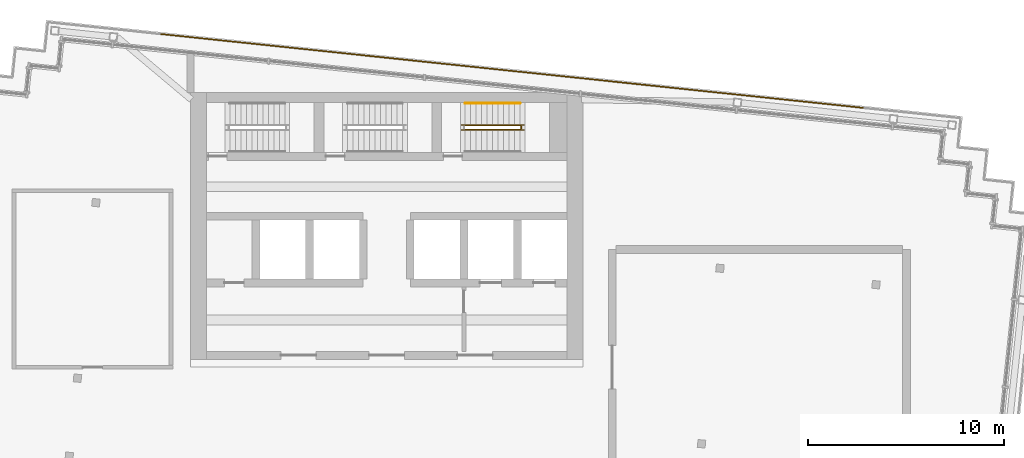
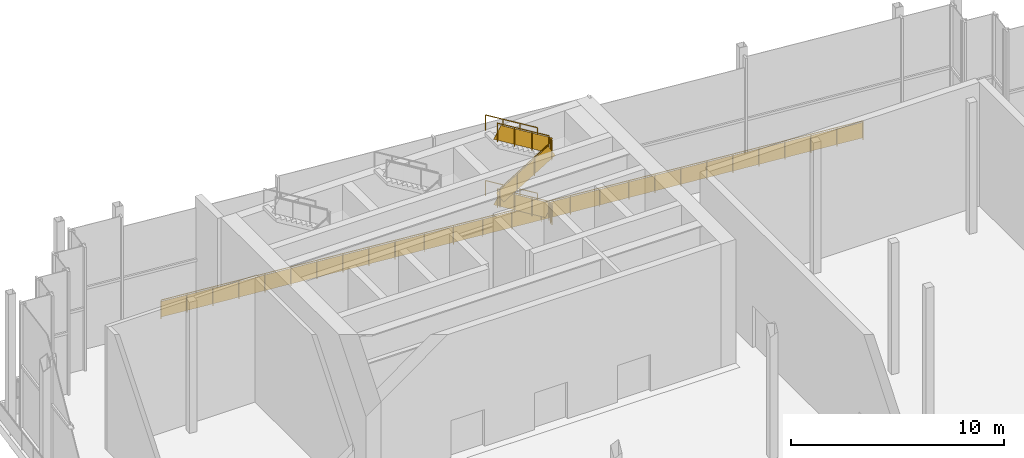
# One storey, part 13 of 14: 10 railings.
"""IFC4 building model written with IfcOpenShell, lengths in metres."""

from ifc_helpers import new_model, si_unit, direction, frame, origin, origin_2d, place, context, subcontext, project, spatial, rectangle, circle, extrude, material, type_object, element, save


model = new_model("IFC4")

# Units and contexts
model_context = context("Model", 3, precision=1e-05, world=origin(), true_north=direction((0.0, 1.0)))
body_context = subcontext(model_context, "Body", "Model", "MODEL_VIEW")
ifc_project = project(units=[si_unit("LENGTHUNIT", "METRE"), si_unit("AREAUNIT", "SQUARE_METRE"), si_unit("VOLUMEUNIT", "CUBIC_METRE"), si_unit("PLANEANGLEUNIT", "RADIAN"), si_unit("MASSUNIT", "GRAM", prefix="KILO")], contexts=[model_context])

# Site, building, storey
site_placement = place(None, origin())
site = spatial("IfcSite", under=ifc_project, at=site_placement, CompositionType="ELEMENT")
building_placement = place(site_placement, origin())
building = spatial("IfcBuilding", under=site, at=building_placement, Name="Vidyagriha Tower", CompositionType="ELEMENT")
storey_placement = place(building_placement, frame((0.0, 0.0, 301.699951171875)))
storey = spatial("IfcBuildingStorey", under=building, at=storey_placement, Name="L78", CompositionType="ELEMENT", Elevation=301.699951171875)

# Railings
ifc_material_1 = material(Name="Steel ASTM A500 Grade C black painted", Category="steel")
railing_type_1 = type_object("IfcRailingType", Name="Gallery guard 1100", PredefinedType="GUARDRAIL", material=ifc_material_1)
railing_1_placement = place(storey_placement, frame((-11.513916015625, 22.990234375, 0.0)))
element("IfcRailing", 1, at=railing_1_placement, inside=storey, type_object=railing_type_1, Name="Gallery guard L78 10", PredefinedType="GUARDRAIL", context=body_context, shape_type="SweptSolid", body=[
    extrude(circle(Radius=0.02490234375, at=origin_2d()), frame((0.0, 0.0, 1.0751953125), z_axis=(0.994521494219, -0.104532279878, 0.0), x_axis=(0.104532279878, 0.994521494219, 0.0)), (0.0, 0.0, 1.0), 12.0),
    extrude(circle(Radius=0.02001953125, at=origin_2d()), origin(), (0.0, 0.0, 1.0), 1.050048828125),
    extrude(circle(Radius=0.02001953125, at=origin_2d()), frame((1.325927734375, -0.139404296875, 0.0)), (0.0, 0.0, 1.0), 1.050048828125),
    extrude(circle(Radius=0.02001953125, at=origin_2d()), frame((2.652099609375, -0.27880859375, 0.0)), (0.0, 0.0, 1.0), 1.050048828125),
    extrude(circle(Radius=0.02001953125, at=origin_2d()), frame((3.97802734375, -0.418212890625, 0.0)), (0.0, 0.0, 1.0), 1.050048828125),
    extrude(circle(Radius=0.02001953125, at=origin_2d()), frame((5.30419921875, -0.5576171875, 0.0)), (0.0, 0.0, 1.0), 1.050048828125),
    extrude(circle(Radius=0.02001953125, at=origin_2d()), frame((6.630126953125, -0.69677734375, 0.0)), (0.0, 0.0, 1.0), 1.050048828125),
    extrude(circle(Radius=0.02001953125, at=origin_2d()), frame((7.956298828125, -0.836181640625, 0.0)), (0.0, 0.0, 1.0), 1.050048828125),
    extrude(circle(Radius=0.02001953125, at=origin_2d()), frame((9.2822265625, -0.9755859375, 0.0)), (0.0, 0.0, 1.0), 1.050048828125),
    extrude(circle(Radius=0.02001953125, at=origin_2d()), frame((10.6083984375, -1.114990234375, 0.0)), (0.0, 0.0, 1.0), 1.050048828125),
    extrude(circle(Radius=0.02001953125, at=origin_2d()), frame((11.934326171875, -1.25439453125, 0.0)), (0.0, 0.0, 1.0), 1.050048828125),
    extrude(rectangle(XDim=0.010009765625, YDim=0.900146484375, at=origin_2d()), frame((0.0, 0.0, 0.550048828125), z_axis=(0.994521494219, -0.104532279878, 0.0), x_axis=(0.104532279878, 0.994521494219, 0.0)), (0.0, 0.0, 1.0), 12.0),
])
railing_2_placement = place(storey_placement, frame((0.42041015625, 21.73583984375, 0.0)))
element("IfcRailing", 2, at=railing_2_placement, inside=storey, type_object=railing_type_1, Name="Gallery guard L78 11", PredefinedType="GUARDRAIL", context=body_context, shape_type="SweptSolid", body=[
    extrude(circle(Radius=0.02490234375, at=origin_2d()), frame((0.0, 0.0, 1.0751953125), z_axis=(0.994523386841, -0.104514271883, 0.0), x_axis=(0.104514271883, 0.994523386841, 0.0)), (0.0, 0.0, 1.0), 11.999755859375),
    extrude(circle(Radius=0.02001953125, at=origin_2d()), origin(), (0.0, 0.0, 1.0), 1.050048828125),
    extrude(circle(Radius=0.02001953125, at=origin_2d()), frame((1.49169921875, -0.15673828125, 0.0)), (0.0, 0.0, 1.0), 1.050048828125),
    extrude(circle(Radius=0.02001953125, at=origin_2d()), frame((2.9833984375, -0.3134765625, 0.0)), (0.0, 0.0, 1.0), 1.050048828125),
    extrude(circle(Radius=0.02001953125, at=origin_2d()), frame((4.475341796875, -0.47021484375, 0.0)), (0.0, 0.0, 1.0), 1.050048828125),
    extrude(circle(Radius=0.02001953125, at=origin_2d()), frame((5.967041015625, -0.626953125, 0.0)), (0.0, 0.0, 1.0), 1.050048828125),
    extrude(circle(Radius=0.02001953125, at=origin_2d()), frame((7.458740234375, -0.783935546875, 0.0)), (0.0, 0.0, 1.0), 1.050048828125),
    extrude(circle(Radius=0.02001953125, at=origin_2d()), frame((8.95068359375, -0.940673828125, 0.0)), (0.0, 0.0, 1.0), 1.050048828125),
    extrude(circle(Radius=0.02001953125, at=origin_2d()), frame((10.4423828125, -1.097412109375, 0.0)), (0.0, 0.0, 1.0), 1.050048828125),
    extrude(circle(Radius=0.02001953125, at=origin_2d()), frame((11.93408203125, -1.254150390625, 0.0)), (0.0, 0.0, 1.0), 1.050048828125),
    extrude(rectangle(XDim=0.010009765625, YDim=0.900146484375, at=origin_2d()), frame((0.0, 0.0, 0.550048828125), z_axis=(0.994523386841, -0.104514271883, 0.0), x_axis=(0.104514271883, 0.994523386841, 0.0)), (0.0, 0.0, 1.0), 11.999755859375),
])
railing_3_placement = place(storey_placement, frame((12.3544921875, 20.481689453125, 0.0)))
element("IfcRailing", 3, at=railing_3_placement, inside=storey, type_object=railing_type_1, Name="Gallery guard L78 12", PredefinedType="GUARDRAIL", context=body_context, shape_type="SweptSolid", body=[
    extrude(circle(Radius=0.02490234375, at=origin_2d()), frame((0.0, 0.0, 1.0751953125), z_axis=(0.994521494219, -0.104532279878, 0.0), x_axis=(0.104532279878, 0.994521494219, 0.0)), (0.0, 0.0, 1.0), 12.0),
    extrude(circle(Radius=0.02001953125, at=origin_2d()), origin(), (0.0, 0.0, 1.0), 1.050048828125),
    extrude(circle(Radius=0.02001953125, at=origin_2d()), frame((1.325927734375, -0.139404296875, 0.0)), (0.0, 0.0, 1.0), 1.050048828125),
    extrude(circle(Radius=0.02001953125, at=origin_2d()), frame((2.652099609375, -0.27880859375, 0.0)), (0.0, 0.0, 1.0), 1.050048828125),
    extrude(circle(Radius=0.02001953125, at=origin_2d()), frame((3.97802734375, -0.418212890625, 0.0)), (0.0, 0.0, 1.0), 1.050048828125),
    extrude(circle(Radius=0.02001953125, at=origin_2d()), frame((5.30419921875, -0.5576171875, 0.0)), (0.0, 0.0, 1.0), 1.050048828125),
    extrude(circle(Radius=0.02001953125, at=origin_2d()), frame((6.630126953125, -0.69677734375, 0.0)), (0.0, 0.0, 1.0), 1.050048828125),
    extrude(circle(Radius=0.02001953125, at=origin_2d()), frame((7.956298828125, -0.836181640625, 0.0)), (0.0, 0.0, 1.0), 1.050048828125),
    extrude(circle(Radius=0.02001953125, at=origin_2d()), frame((9.2822265625, -0.9755859375, 0.0)), (0.0, 0.0, 1.0), 1.050048828125),
    extrude(circle(Radius=0.02001953125, at=origin_2d()), frame((10.6083984375, -1.114990234375, 0.0)), (0.0, 0.0, 1.0), 1.050048828125),
    extrude(circle(Radius=0.02001953125, at=origin_2d()), frame((11.934326171875, -1.25439453125, 0.0)), (0.0, 0.0, 1.0), 1.050048828125),
    extrude(rectangle(XDim=0.010009765625, YDim=0.900146484375, at=origin_2d()), frame((0.0, 0.0, 0.550048828125), z_axis=(0.994521494219, -0.104532279878, 0.0), x_axis=(0.104532279878, 0.994521494219, 0.0)), (0.0, 0.0, 1.0), 12.0),
])
ifc_material_2 = material(Name="Steel ASTM A500 Grade C", Category="steel")
railing_type_2 = type_object("IfcRailingType", Name="Stair guard 1100 mm, steel balustrade", PredefinedType="GUARDRAIL", material=ifc_material_2)
railing_4_placement = place(storey_placement, frame((6.85009765625, 18.14990234375, 1.875)))
element("IfcRailing", 4, at=railing_4_placement, inside=storey, type_object=railing_type_2, Name="L78 ST3 stair guard 2", PredefinedType="GUARDRAIL", context=body_context, shape_type="SweptSolid", body=[
    extrude(circle(Radius=0.02392578125, at=origin_2d()), frame((0.0, 0.0, 1.076171875), z_axis=(0.0, 1.0, 0.0), x_axis=(-1.0, 0.0, 0.0)), (0.0, 0.0, 1.0), 0.150146484375),
    extrude(circle(Radius=0.02099609375, at=origin_2d()), origin(), (0.0, 0.0, 1.0), 1.052001953125),
    extrude(circle(Radius=0.02099609375, at=origin_2d()), frame((0.0, 0.150146484375, 0.0)), (0.0, 0.0, 1.0), 1.052001953125),
    extrude(rectangle(XDim=0.010009765625, YDim=0.902099609375, at=origin_2d()), frame((0.0, 0.0, 0.551025390625), z_axis=(0.0, 1.0, 0.0), x_axis=(-1.0, 0.0, 0.0)), (0.0, 0.0, 1.0), 0.150146484375),
])
railing_5_placement = place(storey_placement, frame((6.800048828125, 18.35009765625, 2.04541015625)))
element("IfcRailing", 5, at=railing_5_placement, inside=storey, type_object=railing_type_2, Name="L78 ST3 stair guard 3", PredefinedType="GUARDRAIL", context=body_context, shape_type="SweptSolid", body=[
    extrude(circle(Radius=0.02392578125, at=origin_2d()), frame((0.0, 0.0, 1.076171875), z_axis=(-0.854169791009, 0.0, 0.51999420009), x_axis=(0.0, -1.0, 0.0)), (0.0, 0.0, 1.0), 3.278076171875),
    extrude(circle(Radius=0.02099609375, at=origin_2d()), origin(), (0.0, 0.0, 1.0), 1.052001953125),
    extrude(circle(Radius=0.02099609375, at=origin_2d()), frame((-0.933349609375, 0.0, 0.568115234375)), (0.0, 0.0, 1.0), 1.052001953125),
    extrude(circle(Radius=0.02099609375, at=origin_2d()), frame((-1.86669921875, 0.0, 1.136474609375)), (0.0, 0.0, 1.0), 1.052001953125),
    extrude(circle(Radius=0.02099609375, at=origin_2d()), frame((-2.800048828125, 0.0, 1.70458984375)), (0.0, 0.0, 1.0), 1.052001953125),
    extrude(rectangle(XDim=0.010009765625, YDim=0.7705078125, at=origin_2d()), frame((0.0, 0.0, 0.551025390625), z_axis=(-0.854169791009, 0.0, 0.51999420009), x_axis=(0.0, -1.0, 0.0)), (0.0, 0.0, 1.0), 3.278076171875),
])
railing_6_placement = place(storey_placement, frame((4.0, 18.10009765625, 3.92041015625)))
element("IfcRailing", 6, at=railing_6_placement, inside=storey, type_object=railing_type_2, Name="L78 ST3 stair guard 5", PredefinedType="GUARDRAIL", context=body_context, shape_type="SweptSolid", body=[
    extrude(circle(Radius=0.02392578125, at=origin_2d()), frame((0.0, 0.0, 1.076171875), z_axis=(0.854169791009, 0.0, 0.51999420009), x_axis=(0.0, 1.0, 0.0)), (0.0, 0.0, 1.0), 3.278076171875),
    extrude(circle(Radius=0.02099609375, at=origin_2d()), origin(), (0.0, 0.0, 1.0), 1.052001953125),
    extrude(circle(Radius=0.02099609375, at=origin_2d()), frame((0.933349609375, 0.0, 0.568115234375)), (0.0, 0.0, 1.0), 1.052001953125),
    extrude(circle(Radius=0.02099609375, at=origin_2d()), frame((1.86669921875, 0.0, 1.136474609375)), (0.0, 0.0, 1.0), 1.052001953125),
    extrude(circle(Radius=0.02099609375, at=origin_2d()), frame((2.800048828125, 0.0, 1.70458984375)), (0.0, 0.0, 1.0), 1.052001953125),
    extrude(rectangle(XDim=0.010009765625, YDim=0.7705078125, at=origin_2d()), frame((0.0, 0.0, 0.551025390625), z_axis=(0.854169791009, 0.0, 0.51999420009), x_axis=(0.0, 1.0, 0.0)), (0.0, 0.0, 1.0), 3.278076171875),
])
railing_7_placement = place(storey_placement, frame((6.85009765625, 18.14990234375, 5.625)))
element("IfcRailing", 7, at=railing_7_placement, inside=storey, type_object=railing_type_2, Name="L78 ST3 stair guard 6", PredefinedType="GUARDRAIL", context=body_context, shape_type="SweptSolid", body=[
    extrude(circle(Radius=0.02392578125, at=origin_2d()), frame((0.0, 0.0, 1.076171875), z_axis=(0.0, 1.0, 0.0), x_axis=(-1.0, 0.0, 0.0)), (0.0, 0.0, 1.0), 0.150146484375),
    extrude(circle(Radius=0.02099609375, at=origin_2d()), origin(), (0.0, 0.0, 1.0), 1.052001953125),
    extrude(circle(Radius=0.02099609375, at=origin_2d()), frame((0.0, 0.150146484375, 0.0)), (0.0, 0.0, 1.0), 1.052001953125),
    extrude(rectangle(XDim=0.010009765625, YDim=0.902099609375, at=origin_2d()), frame((0.0, 0.0, 0.551025390625), z_axis=(0.0, 1.0, 0.0), x_axis=(-1.0, 0.0, 0.0)), (0.0, 0.0, 1.0), 0.150146484375),
])
railing_8_placement = place(storey_placement, frame((6.800048828125, 18.35009765625, 5.79541015625)))
element("IfcRailing", 8, at=railing_8_placement, inside=storey, type_object=railing_type_2, Name="L78 ST3 stair guard 7", PredefinedType="GUARDRAIL", context=body_context, shape_type="SweptSolid", body=[
    extrude(circle(Radius=0.02392578125, at=origin_2d()), frame((0.0, 0.0, 1.076171875), z_axis=(-0.854169791009, 0.0, 0.51999420009), x_axis=(0.0, -1.0, 0.0)), (0.0, 0.0, 1.0), 3.278076171875),
    extrude(circle(Radius=0.02099609375, at=origin_2d()), origin(), (0.0, 0.0, 1.0), 1.052001953125),
    extrude(circle(Radius=0.02099609375, at=origin_2d()), frame((-0.933349609375, 0.0, 0.568115234375)), (0.0, 0.0, 1.0), 1.052001953125),
    extrude(circle(Radius=0.02099609375, at=origin_2d()), frame((-1.86669921875, 0.0, 1.136474609375)), (0.0, 0.0, 1.0), 1.052001953125),
    extrude(circle(Radius=0.02099609375, at=origin_2d()), frame((-2.800048828125, 0.0, 1.70458984375)), (0.0, 0.0, 1.0), 1.052001953125),
    extrude(rectangle(XDim=0.010009765625, YDim=0.7705078125, at=origin_2d()), frame((0.0, 0.0, 0.551025390625), z_axis=(-0.854169791009, 0.0, 0.51999420009), x_axis=(0.0, -1.0, 0.0)), (0.0, 0.0, 1.0), 3.278076171875),
])
ifc_material_3 = material(Name="Steel ASTM A500 Grade C", Category="steel")
railing_type_3 = type_object("IfcRailingType", Name="Stair handrail 900 mm, steel", PredefinedType="HANDRAIL", material=ifc_material_3)
for number, where, name in (
    (9, (6.800048828125, 19.449951171875, 2.04541015625), "L78 ST3 stair handrail 2"),
    (10, (6.800048828125, 19.449951171875, 5.79541015625), "L78 ST3 stair handrail 4"),
):
    element("IfcRailing", number, at=place(storey_placement, frame(where)), inside=storey, type_object=railing_type_3, Name=name, PredefinedType="HANDRAIL", context=body_context, shape_type="SweptSolid", body=[
        extrude(circle(Radius=0.02392578125, at=origin_2d()), frame((0.0, 0.0, 0.8759765625), z_axis=(-0.854169791009, 0.0, 0.51999420009), x_axis=(0.0, -1.0, 0.0)), (0.0, 0.0, 1.0), 3.278076171875),
        extrude(circle(Radius=0.02099609375, at=origin_2d()), origin(), (0.0, 0.0, 1.0), 0.851806640625),
        extrude(circle(Radius=0.02099609375, at=origin_2d()), frame((-0.933349609375, 0.0, 0.568115234375)), (0.0, 0.0, 1.0), 0.851806640625),
        extrude(circle(Radius=0.02099609375, at=origin_2d()), frame((-1.86669921875, 0.0, 1.136474609375)), (0.0, 0.0, 1.0), 0.851806640625),
        extrude(circle(Radius=0.02099609375, at=origin_2d()), frame((-2.800048828125, 0.0, 1.70458984375)), (0.0, 0.0, 1.0), 0.851806640625),
    ])

save(model, "model.ifc")
